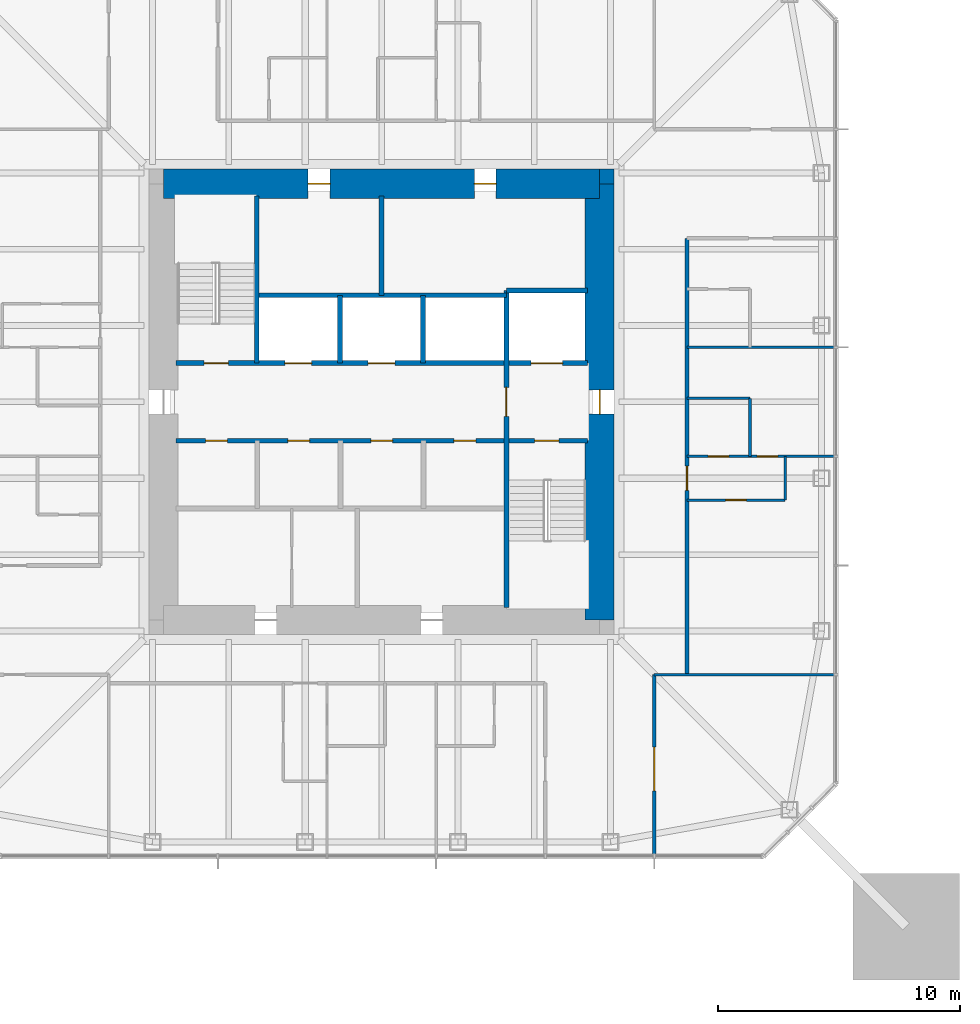
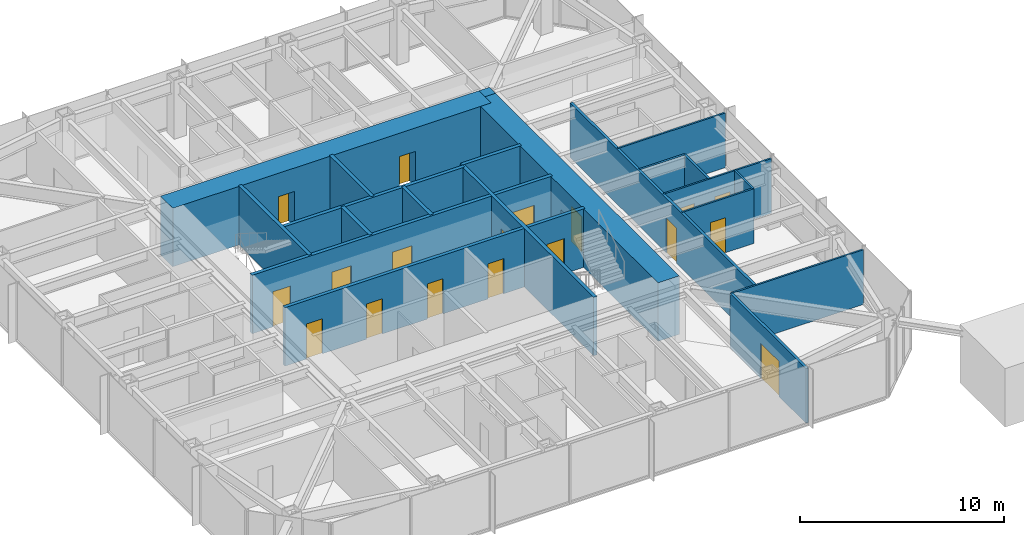
# One storey, part 7 of 11: 21 walls, 18 doors, 18 openings.
"""IFC4 building model written with IfcOpenShell, lengths in metres."""

from ifc_helpers import new_model, si_unit, direction, frame, frame_2d, origin, place, context, subcontext, project, spatial, rectangle, extrude, material, layer, layer_set, type_object, element, fill, save


model = new_model("IFC4")

# Units and contexts
model_context = context("Model", 3, precision=1e-05, world=origin(), true_north=direction((0.0, 1.0)))
body_context = subcontext(model_context, "Body", "Model", "MODEL_VIEW")
ifc_project = project(units=[si_unit("LENGTHUNIT", "METRE"), si_unit("AREAUNIT", "SQUARE_METRE"), si_unit("VOLUMEUNIT", "CUBIC_METRE"), si_unit("PLANEANGLEUNIT", "RADIAN"), si_unit("MASSUNIT", "GRAM", prefix="KILO")], contexts=[model_context])

# Site, building, storey
site_placement = place(None, origin())
site = spatial("IfcSite", under=ifc_project, at=site_placement, CompositionType="ELEMENT")
building_placement = place(site_placement, origin())
building = spatial("IfcBuilding", under=site, at=building_placement, Name="Iwan Alto Co-Living Towers", CompositionType="ELEMENT")
storey_placement = place(building_placement, frame((0.0, 0.0, 170.5)))
storey = spatial("IfcBuildingStorey", under=building, at=storey_placement, Name="L46", CompositionType="ELEMENT", Elevation=170.5)

# Wall, opening, door
ifc_material_1 = material(Name="Gypsum board")
ifc_layer_1 = layer(ifc_material_1, 0.02490234375, Name="Board", Category="Finish")
ifc_material_2 = material(Name="Steel ASTM A1003 ST33H cold-formed studs", Category="steel")
ifc_layer_2 = layer(ifc_material_2, 0.10009765625, Name="Studs", Category="Framing")
ifc_layer_3 = layer(ifc_material_1, 0.02490234375, Name="Board", Category="Finish")
ifc_layer_set_1 = layer_set([ifc_layer_1, ifc_layer_2, ifc_layer_3], Name="CORRIDOR WALL 150")
wall_type_1 = type_object("IfcWallType", Name="CORRIDOR WALL 150", PredefinedType="PARTITIONING", material=ifc_layer_set_1)
wall_1_placement = place(storey_placement, frame((12.60009765625, -11.25, 0.0), z_axis=(0.0, 0.0, 1.0), x_axis=(0.0, 1.0, 0.0)))
wall_1 = element("IfcWall", 1, at=wall_1_placement, inside=storey, type_object=wall_type_1, Name="Partition L46", PredefinedType="PARTITIONING", context=body_context, shape_type="SweptSolid", body=[
    extrude(rectangle(XDim=18.0, YDim=0.14990234375, at=frame_2d((9.0, 0.0))), origin(), (0.0, 0.0, 1.0), 3.27001953125),
])
opening_1_placement = place(wall_1_placement, frame((7.60009765625, 0.0, 0.0)))
opening_1 = element("IfcOpeningElement", 2, at=opening_1_placement, cuts=wall_1, Name="Opening D3", PredefinedType="OPENING", context=body_context, shape_type="SweptSolid", body=[
    extrude(rectangle(XDim=1.0, YDim=2.10009765625, at=frame_2d((0.5, 1.050048828125))), frame((0.0, 0.0849609375, 0.0), z_axis=(0.0, -1.0, 0.0), x_axis=(1.0, 0.0, 0.0)), (0.0, 0.0, 1.0), 0.169921875),
])
ifc_material_3 = material(Name="Steel frame with timber leaf", Category="steel")
door_type_1 = type_object("IfcDoorType", Name="FLAT ENTRANCE DOOR FD30S 1000X2100", OperationType="SINGLE_SWING_LEFT", PredefinedType="DOOR", material=ifc_material_3)
door_1_placement = place(opening_1_placement, frame((1.0, 0.0, 0.0), z_axis=(0.0, 0.0, 1.0), x_axis=(-1.0, 0.0, 0.0)))
door_1 = element("IfcDoor", 3, at=door_1_placement, inside=storey, type_object=door_type_1, Name="Apartment foyer door L46", OperationType="SINGLE_SWING_RIGHT", OverallHeight=2.10009765625, OverallWidth=1.0, PredefinedType="DOOR", context=body_context, shape_type="SweptSolid", body=[
    extrude(rectangle(XDim=1.0, YDim=2.10009765625, at=frame_2d((0.5, 1.050048828125))), frame((0.0, 0.02490234375, 0.0), z_axis=(0.0, -1.0, 0.0), x_axis=(1.0, 0.0, 0.0)), (0.0, 0.0, 1.0), 0.050048828125),
])
fill(opening_1, door_1)

wall_2_placement = place(storey_placement, frame((11.25, -18.68994140625, 0.0), z_axis=(0.0, 0.0, 1.0), x_axis=(0.0, 1.0, 0.0)))
wall_2 = element("IfcWall", 4, at=wall_2_placement, inside=storey, type_object=wall_type_1, Name="Partition L46", PredefinedType="PARTITIONING", context=body_context, shape_type="SweptSolid", body=[
    extrude(rectangle(XDim=7.43994140625, YDim=0.14990234375, at=frame_2d((3.719970703125, 0.0))), origin(), (0.0, 0.0, 1.0), 3.27001953125),
])
opening_2_placement = place(wall_2_placement, frame((2.64501953125, 0.0, 0.0)))
opening_2 = element("IfcOpeningElement", 5, at=opening_2_placement, cuts=wall_2, Name="Opening D9", PredefinedType="OPENING", context=body_context, shape_type="SweptSolid", body=[
    extrude(rectangle(XDim=1.800048828125, YDim=2.10009765625, at=frame_2d((0.89990234375, 1.050048828125))), frame((0.0, 0.0849609375, 0.0), z_axis=(0.0, -1.0, 0.0), x_axis=(1.0, 0.0, 0.0)), (0.0, 0.0, 1.0), 0.169921875),
])
ifc_material_4 = material(Name="Steel frame with timber leaf", Category="steel")
door_type_2 = type_object("IfcDoorType", Name="LOUNGE DOOR FD30S 1800X2100", OperationType="DOUBLE_DOOR_SINGLE_SWING", PredefinedType="DOOR", material=ifc_material_4)
door_2_placement = place(opening_2_placement, frame((1.800048828125, 0.0, 0.0), z_axis=(0.0, 0.0, 1.0), x_axis=(-1.0, 0.0, 0.0)))
door_2 = element("IfcDoor", 6, at=door_2_placement, inside=storey, type_object=door_type_2, Name="Courtyard lounge door L46", OperationType="DOUBLE_DOOR_SINGLE_SWING", OverallHeight=2.10009765625, OverallWidth=1.800048828125, PredefinedType="DOOR", context=body_context, shape_type="SweptSolid", body=[
    extrude(rectangle(XDim=1.800048828125, YDim=2.10009765625, at=frame_2d((0.89990234375, 1.050048828125))), frame((0.0, 0.02490234375, 0.0), z_axis=(0.0, -1.0, 0.0), x_axis=(1.0, 0.0, 0.0)), (0.0, 0.0, 1.0), 0.050048828125),
])
fill(opening_2, door_2)

# Wall
ifc_layer_4 = layer(ifc_material_1, 0.012451171875, Name="Board", Category="Finish")
ifc_layer_5 = layer(ifc_material_2, 0.074951171875, Name="Studs", Category="Framing")
ifc_layer_6 = layer(ifc_material_1, 0.012451171875, Name="Board", Category="Finish")
ifc_layer_set_2 = layer_set([ifc_layer_4, ifc_layer_5, ifc_layer_6], Name="PARTITION 100")
wall_type_2 = type_object("IfcWallType", Name="PARTITION 100", PredefinedType="PARTITIONING", material=ifc_layer_set_2)
wall_3_placement = place(storey_placement, frame((11.25, -11.25, 0.0), z_axis=(0.0, 0.0, 1.0), x_axis=(1.0, 0.0, 0.0)))
element("IfcWall", 7, at=wall_3_placement, inside=storey, type_object=wall_type_2, Name="Partition L46", PredefinedType="PARTITIONING", context=body_context, shape_type="SweptSolid", body=[
    extrude(rectangle(XDim=7.43994140625, YDim=0.10009765625, at=frame_2d((3.719970703125, 0.0))), origin(), (0.0, 0.0, 1.0), 3.27001953125),
])

# Wall, opening, door
wall_4_placement = place(storey_placement, frame((12.60009765625, -4.050048828125, 0.0), z_axis=(0.0, 0.0, 1.0), x_axis=(1.0, 0.0, 0.0)))
wall_4 = element("IfcWall", 8, at=wall_4_placement, inside=storey, type_object=wall_type_2, Name="Partition L46", PredefinedType="PARTITIONING", context=body_context, shape_type="SweptSolid", body=[
    extrude(rectangle(XDim=4.0498046875, YDim=0.10009765625, at=frame_2d((2.02490234375, 0.0))), origin(), (0.0, 0.0, 1.0), 3.27001953125),
])
opening_3_placement = place(wall_4_placement, frame((1.60009765625, 0.0, 0.0)))
opening_3 = element("IfcOpeningElement", 9, at=opening_3_placement, cuts=wall_4, Name="Opening D2", PredefinedType="OPENING", context=body_context, shape_type="SweptSolid", body=[
    extrude(rectangle(XDim=0.85009765625, YDim=2.10009765625, at=frame_2d((0.425048828125, 1.050048828125))), frame((0.0, 0.06005859375, 0.0), z_axis=(0.0, -1.0, 0.0), x_axis=(1.0, 0.0, 0.0)), (0.0, 0.0, 1.0), 0.1201171875),
])
ifc_material_5 = material(Name="Timber leaf in steel frame", Category="steel")
door_type_3 = type_object("IfcDoorType", Name="ROOM DOOR 850X2100", OperationType="SINGLE_SWING_LEFT", PredefinedType="DOOR", material=ifc_material_5)
door_3_placement = place(opening_3_placement, frame((0.85009765625, 0.0, 0.0), z_axis=(0.0, 0.0, 1.0), x_axis=(-1.0, 0.0, 0.0)))
door_3 = element("IfcDoor", 10, at=door_3_placement, inside=storey, type_object=door_type_3, Name="Apartment foyer door L46", OperationType="SINGLE_SWING_RIGHT", OverallHeight=2.10009765625, OverallWidth=0.85009765625, PredefinedType="DOOR", context=body_context, shape_type="SweptSolid", body=[
    extrude(rectangle(XDim=0.85009765625, YDim=2.10009765625, at=frame_2d((0.425048828125, 1.050048828125))), frame((0.0, 0.02490234375, 0.0), z_axis=(0.0, -1.0, 0.0), x_axis=(1.0, 0.0, 0.0)), (0.0, 0.0, 1.0), 0.050048828125),
])
fill(opening_3, door_3)

# Wall, openings, doors
wall_5_placement = place(storey_placement, frame((12.60009765625, -2.25, 0.0), z_axis=(0.0, 0.0, 1.0), x_axis=(1.0, 0.0, 0.0)))
wall_5 = element("IfcWall", 11, at=wall_5_placement, inside=storey, type_object=wall_type_2, Name="Partition L46", PredefinedType="PARTITIONING", context=body_context, shape_type="SweptSolid", body=[
    extrude(rectangle(XDim=6.08984375, YDim=0.10009765625, at=frame_2d((3.044921875, 0.0))), origin(), (0.0, 0.0, 1.0), 3.27001953125),
])
opening_4_placement = place(wall_5_placement, frame((2.89990234375, 0.0, 0.0)))
opening_4 = element("IfcOpeningElement", 12, at=opening_4_placement, cuts=wall_5, Name="Opening D2", PredefinedType="OPENING", context=body_context, shape_type="SweptSolid", body=[
    extrude(rectangle(XDim=0.85009765625, YDim=2.10009765625, at=frame_2d((0.425048828125, 1.050048828125))), frame((0.0, 0.06005859375, 0.0), z_axis=(0.0, -1.0, 0.0), x_axis=(1.0, 0.0, 0.0)), (0.0, 0.0, 1.0), 0.1201171875),
])
opening_5_placement = place(wall_5_placement, frame((0.875, 0.0, 0.0)))
opening_5 = element("IfcOpeningElement", 13, at=opening_5_placement, cuts=wall_5, Name="Opening D2", PredefinedType="OPENING", context=body_context, shape_type="SweptSolid", body=[
    extrude(rectangle(XDim=0.85009765625, YDim=2.10009765625, at=frame_2d((0.425048828125, 1.050048828125))), frame((0.0, 0.06005859375, 0.0), z_axis=(0.0, -1.0, 0.0), x_axis=(1.0, 0.0, 0.0)), (0.0, 0.0, 1.0), 0.1201171875),
])
door_4_placement = place(opening_4_placement, origin())
door_4 = element("IfcDoor", 14, at=door_4_placement, inside=storey, type_object=door_type_3, Name="Bedroom door L46", OperationType="SINGLE_SWING_LEFT", OverallHeight=2.10009765625, OverallWidth=0.85009765625, PredefinedType="DOOR", context=body_context, shape_type="SweptSolid", body=[
    extrude(rectangle(XDim=0.85009765625, YDim=2.10009765625, at=frame_2d((0.425048828125, 1.050048828125))), frame((0.0, 0.02490234375, 0.0), z_axis=(0.0, -1.0, 0.0), x_axis=(1.0, 0.0, 0.0)), (0.0, 0.0, 1.0), 0.050048828125),
])
fill(opening_4, door_4)
door_5_placement = place(opening_5_placement, origin())
door_5 = element("IfcDoor", 15, at=door_5_placement, inside=storey, type_object=door_type_3, Name="Bathroom door L46", OperationType="SINGLE_SWING_LEFT", OverallHeight=2.10009765625, OverallWidth=0.85009765625, PredefinedType="DOOR", context=body_context, shape_type="SweptSolid", body=[
    extrude(rectangle(XDim=0.85009765625, YDim=2.10009765625, at=frame_2d((0.425048828125, 1.050048828125))), frame((0.0, 0.02490234375, 0.0), z_axis=(0.0, -1.0, 0.0), x_axis=(1.0, 0.0, 0.0)), (0.0, 0.0, 1.0), 0.050048828125),
])
fill(opening_5, door_5)

# Walls
wall_6_placement = place(storey_placement, frame((12.60009765625, 2.25, 0.0), z_axis=(0.0, 0.0, 1.0), x_axis=(1.0, 0.0, 0.0)))
element("IfcWall", 16, at=wall_6_placement, inside=storey, type_object=wall_type_2, Name="Partition L46", PredefinedType="PARTITIONING", context=body_context, shape_type="SweptSolid", body=[
    extrude(rectangle(XDim=6.08984375, YDim=0.10009765625, at=frame_2d((3.044921875, 0.0))), origin(), (0.0, 0.0, 1.0), 3.27001953125),
])
wall_7_placement = place(storey_placement, frame((16.64990234375, -4.050048828125, 0.0), z_axis=(0.0, 0.0, 1.0), x_axis=(0.0, 1.0, 0.0)))
element("IfcWall", 17, at=wall_7_placement, inside=storey, type_object=wall_type_2, Name="Partition L46", PredefinedType="PARTITIONING", context=body_context, shape_type="SweptSolid", body=[
    extrude(rectangle(XDim=1.800048828125, YDim=0.10009765625, at=frame_2d((0.89990234375, 0.0))), origin(), (0.0, 0.0, 1.0), 3.27001953125),
])

# Wall, openings, doors
ifc_material_6 = material(Name="Concrete f'c 70 MPa", Category="concrete")
ifc_layer_7 = layer(ifc_material_6, 0.199951171875)
ifc_layer_set_3 = layer_set([ifc_layer_7], Name="SHAFT WALL 200")
wall_type_3 = type_object("IfcWallType", Name="SHAFT WALL 200", PredefinedType="SOLIDWALL", material=ifc_layer_set_3)
wall_8_placement = place(storey_placement, frame((-8.489990234375, -1.60009765625, 0.0), z_axis=(0.0, 0.0, 1.0), x_axis=(1.0, 0.0, 0.0)))
wall_8 = element("IfcWall", 18, at=wall_8_placement, inside=storey, type_object=wall_type_3, Name="Shaft wall L46", PredefinedType="SOLIDWALL", context=body_context, shape_type="SweptSolid", body=[
    extrude(rectangle(XDim=16.97998046875, YDim=0.199951171875, at=frame_2d((8.489990234375, 0.0))), origin(), (0.0, 0.0, 1.0), 3.5),
])
opening_6_placement = place(wall_8_placement, frame((14.81005859375, 0.0, 0.0)))
opening_6 = element("IfcOpeningElement", 19, at=opening_6_placement, cuts=wall_8, Name="Opening D5", PredefinedType="OPENING", context=body_context, shape_type="SweptSolid", body=[
    extrude(rectangle(XDim=1.0, YDim=2.10009765625, at=frame_2d((0.5, 1.050048828125))), frame((0.0, 0.10986328125, 0.0), z_axis=(0.0, -1.0, 0.0), x_axis=(1.0, 0.0, 0.0)), (0.0, 0.0, 1.0), 0.219970703125),
])
opening_7_placement = place(wall_8_placement, frame((1.23193359375, 0.0, 0.0)))
opening_7 = element("IfcOpeningElement", 20, at=opening_7_placement, cuts=wall_8, Name="Opening D15", PredefinedType="OPENING", context=body_context, shape_type="SweptSolid", body=[
    extrude(rectangle(XDim=0.89990234375, YDim=2.10009765625, at=frame_2d((0.449951171875, 1.050048828125))), frame((0.0, 0.10986328125, 0.0), z_axis=(0.0, -1.0, 0.0), x_axis=(1.0, 0.0, 0.0)), (0.0, 0.0, 1.0), 0.219970703125),
])
opening_8_placement = place(wall_8_placement, frame((4.626953125, 0.0, 0.0)))
opening_8 = element("IfcOpeningElement", 21, at=opening_8_placement, cuts=wall_8, Name="Opening D15", PredefinedType="OPENING", context=body_context, shape_type="SweptSolid", body=[
    extrude(rectangle(XDim=0.89990234375, YDim=2.10009765625, at=frame_2d((0.449951171875, 1.050048828125))), frame((0.0, 0.10986328125, 0.0), z_axis=(0.0, -1.0, 0.0), x_axis=(1.0, 0.0, 0.0)), (0.0, 0.0, 1.0), 0.219970703125),
])
opening_9_placement = place(wall_8_placement, frame((8.052001953125, 0.0, 0.0)))
opening_9 = element("IfcOpeningElement", 22, at=opening_9_placement, cuts=wall_8, Name="Opening D15", PredefinedType="OPENING", context=body_context, shape_type="SweptSolid", body=[
    extrude(rectangle(XDim=0.89990234375, YDim=2.10009765625, at=frame_2d((0.449951171875, 1.050048828125))), frame((0.0, 0.10986328125, 0.0), z_axis=(0.0, -1.0, 0.0), x_axis=(1.0, 0.0, 0.0)), (0.0, 0.0, 1.0), 0.219970703125),
])
opening_10_placement = place(wall_8_placement, frame((11.47802734375, 0.0, 0.0)))
opening_10 = element("IfcOpeningElement", 23, at=opening_10_placement, cuts=wall_8, Name="Opening D15", PredefinedType="OPENING", context=body_context, shape_type="SweptSolid", body=[
    extrude(rectangle(XDim=0.89990234375, YDim=2.10009765625, at=frame_2d((0.449951171875, 1.050048828125))), frame((0.0, 0.10986328125, 0.0), z_axis=(0.0, -1.0, 0.0), x_axis=(1.0, 0.0, 0.0)), (0.0, 0.0, 1.0), 0.219970703125),
])
ifc_material_7 = material(Name="Steel frame with timber leaf", Category="steel")
door_type_4 = type_object("IfcDoorType", Name="CORE ROOM DOOR FD60S 900X2100", OperationType="SINGLE_SWING_LEFT", PredefinedType="DOOR", material=ifc_material_7)
door_6_placement = place(opening_7_placement, frame((0.89990234375, 0.0, 0.0), z_axis=(0.0, 0.0, 1.0), x_axis=(-1.0, 0.0, 0.0)))
door_6 = element("IfcDoor", 24, at=door_6_placement, inside=storey, type_object=door_type_4, Name="Guest pantry door L46", OperationType="SINGLE_SWING_LEFT", OverallHeight=2.10009765625, OverallWidth=0.89990234375, PredefinedType="DOOR", context=body_context, shape_type="SweptSolid", body=[
    extrude(rectangle(XDim=0.89990234375, YDim=2.10009765625, at=frame_2d((0.449951171875, 1.050048828125))), frame((0.0, 0.02490234375, 0.0), z_axis=(0.0, -1.0, 0.0), x_axis=(1.0, 0.0, 0.0)), (0.0, 0.0, 1.0), 0.050048828125),
])
fill(opening_7, door_6)
door_7_placement = place(opening_8_placement, frame((0.89990234375, 0.0, 0.0), z_axis=(0.0, 0.0, 1.0), x_axis=(-1.0, 0.0, 0.0)))
door_7 = element("IfcDoor", 25, at=door_7_placement, inside=storey, type_object=door_type_4, Name="Cleaner's store door L46", OperationType="SINGLE_SWING_RIGHT", OverallHeight=2.10009765625, OverallWidth=0.89990234375, PredefinedType="DOOR", context=body_context, shape_type="SweptSolid", body=[
    extrude(rectangle(XDim=0.89990234375, YDim=2.10009765625, at=frame_2d((0.449951171875, 1.050048828125))), frame((0.0, 0.02490234375, 0.0), z_axis=(0.0, -1.0, 0.0), x_axis=(1.0, 0.0, 0.0)), (0.0, 0.0, 1.0), 0.050048828125),
])
fill(opening_8, door_7)
door_8_placement = place(opening_9_placement, frame((0.89990234375, 0.0, 0.0), z_axis=(0.0, 0.0, 1.0), x_axis=(-1.0, 0.0, 0.0)))
door_8 = element("IfcDoor", 26, at=door_8_placement, inside=storey, type_object=door_type_4, Name="Guest pantry door L46", OperationType="SINGLE_SWING_RIGHT", OverallHeight=2.10009765625, OverallWidth=0.89990234375, PredefinedType="DOOR", context=body_context, shape_type="SweptSolid", body=[
    extrude(rectangle(XDim=0.89990234375, YDim=2.10009765625, at=frame_2d((0.449951171875, 1.050048828125))), frame((0.0, 0.02490234375, 0.0), z_axis=(0.0, -1.0, 0.0), x_axis=(1.0, 0.0, 0.0)), (0.0, 0.0, 1.0), 0.050048828125),
])
fill(opening_9, door_8)
door_9_placement = place(opening_10_placement, frame((0.89990234375, 0.0, 0.0), z_axis=(0.0, 0.0, 1.0), x_axis=(-1.0, 0.0, 0.0)))
door_9 = element("IfcDoor", 27, at=door_9_placement, inside=storey, type_object=door_type_4, Name="Staff WC door L46", OperationType="SINGLE_SWING_RIGHT", OverallHeight=2.10009765625, OverallWidth=0.89990234375, PredefinedType="DOOR", context=body_context, shape_type="SweptSolid", body=[
    extrude(rectangle(XDim=0.89990234375, YDim=2.10009765625, at=frame_2d((0.449951171875, 1.050048828125))), frame((0.0, 0.02490234375, 0.0), z_axis=(0.0, -1.0, 0.0), x_axis=(1.0, 0.0, 0.0)), (0.0, 0.0, 1.0), 0.050048828125),
])
fill(opening_10, door_9)
ifc_material_8 = material(Name="Steel frame with timber leaf", Category="steel")
door_type_5 = type_object("IfcDoorType", Name="STAIR DOOR FD120S 1000X2100", OperationType="SINGLE_SWING_LEFT", PredefinedType="DOOR", material=ifc_material_8)
door_10_placement = place(opening_6_placement, frame((1.0, 0.0, 0.0), z_axis=(0.0, 0.0, 1.0), x_axis=(-1.0, 0.0, 0.0)))
door_10 = element("IfcDoor", 28, at=door_10_placement, inside=storey, type_object=door_type_5, Name="Stair S2 door L46", OperationType="SINGLE_SWING_RIGHT", OverallHeight=2.10009765625, OverallWidth=1.0, PredefinedType="DOOR", context=body_context, shape_type="SweptSolid", body=[
    extrude(rectangle(XDim=1.0, YDim=2.10009765625, at=frame_2d((0.5, 1.050048828125))), frame((0.0, 0.02490234375, 0.0), z_axis=(0.0, -1.0, 0.0), x_axis=(1.0, 0.0, 0.0)), (0.0, 0.0, 1.0), 0.050048828125),
])
fill(opening_6, door_10)

wall_9_placement = place(storey_placement, frame((-8.489990234375, 1.60009765625, 0.0), z_axis=(0.0, 0.0, 1.0), x_axis=(1.0, 0.0, 0.0)))
wall_9 = element("IfcWall", 29, at=wall_9_placement, inside=storey, type_object=wall_type_3, Name="Shaft wall L46", PredefinedType="SOLIDWALL", context=body_context, shape_type="SweptSolid", body=[
    extrude(rectangle(XDim=16.97998046875, YDim=0.199951171875, at=frame_2d((8.489990234375, 0.0))), origin(), (0.0, 0.0, 1.0), 3.5),
])
opening_11_placement = place(wall_9_placement, frame((1.169921875, 0.0, 0.0)))
opening_11 = element("IfcOpeningElement", 30, at=opening_11_placement, cuts=wall_9, Name="Opening D5", PredefinedType="OPENING", context=body_context, shape_type="SweptSolid", body=[
    extrude(rectangle(XDim=1.0, YDim=2.10009765625, at=frame_2d((0.5, 1.050048828125))), frame((0.0, 0.10986328125, 0.0), z_axis=(0.0, -1.0, 0.0), x_axis=(1.0, 0.0, 0.0)), (0.0, 0.0, 1.0), 0.219970703125),
])
opening_12_placement = place(wall_9_placement, frame((4.506103515625, 0.0, 0.0)))
opening_12 = element("IfcOpeningElement", 31, at=opening_12_placement, cuts=wall_9, Name="Opening LD", PredefinedType="OPENING", context=body_context, shape_type="SweptSolid", body=[
    extrude(rectangle(XDim=1.10009765625, YDim=2.10009765625, at=frame_2d((0.550048828125, 1.050048828125))), frame((0.0, 0.10986328125, 0.0), z_axis=(0.0, -1.0, 0.0), x_axis=(1.0, 0.0, 0.0)), (0.0, 0.0, 1.0), 0.219970703125),
])
opening_13_placement = place(wall_9_placement, frame((7.93994140625, 0.0, 0.0)))
opening_13 = element("IfcOpeningElement", 32, at=opening_13_placement, cuts=wall_9, Name="Opening LD", PredefinedType="OPENING", context=body_context, shape_type="SweptSolid", body=[
    extrude(rectangle(XDim=1.10009765625, YDim=2.10009765625, at=frame_2d((0.550048828125, 1.050048828125))), frame((0.0, 0.10986328125, 0.0), z_axis=(0.0, -1.0, 0.0), x_axis=(1.0, 0.0, 0.0)), (0.0, 0.0, 1.0), 0.219970703125),
])
opening_14_placement = place(wall_9_placement, frame((14.659912109375, 0.0, 0.0)))
opening_14 = element("IfcOpeningElement", 33, at=opening_14_placement, cuts=wall_9, Name="Opening LD2", PredefinedType="OPENING", context=body_context, shape_type="SweptSolid", body=[
    extrude(rectangle(XDim=1.300048828125, YDim=2.10009765625, at=frame_2d((0.64990234375, 1.050048828125))), frame((0.0, 0.10986328125, 0.0), z_axis=(0.0, -1.0, 0.0), x_axis=(1.0, 0.0, 0.0)), (0.0, 0.0, 1.0), 0.219970703125),
])
ifc_material_9 = material(Name="Steel frame with timber leaf", Category="steel")
door_type_6 = type_object("IfcDoorType", Name="LIFT LANDING DOOR 1100X2100", OperationType="DOUBLE_DOOR_SLIDING", PredefinedType="DOOR", material=ifc_material_9)
door_11_placement = place(opening_12_placement, origin())
door_11 = element("IfcDoor", 34, at=door_11_placement, inside=storey, type_object=door_type_6, Name="Lift P3-1 landing door L46", OperationType="DOUBLE_DOOR_SLIDING", OverallHeight=2.10009765625, OverallWidth=1.10009765625, PredefinedType="DOOR", context=body_context, shape_type="SweptSolid", body=[
    extrude(rectangle(XDim=1.10009765625, YDim=2.10009765625, at=frame_2d((0.550048828125, 1.050048828125))), frame((0.0, 0.02490234375, 0.0), z_axis=(0.0, -1.0, 0.0), x_axis=(1.0, 0.0, 0.0)), (0.0, 0.0, 1.0), 0.050048828125),
])
fill(opening_12, door_11)
door_12_placement = place(opening_13_placement, origin())
door_12 = element("IfcDoor", 35, at=door_12_placement, inside=storey, type_object=door_type_6, Name="Lift P3-2 landing door L46", OperationType="DOUBLE_DOOR_SLIDING", OverallHeight=2.10009765625, OverallWidth=1.10009765625, PredefinedType="DOOR", context=body_context, shape_type="SweptSolid", body=[
    extrude(rectangle(XDim=1.10009765625, YDim=2.10009765625, at=frame_2d((0.550048828125, 1.050048828125))), frame((0.0, 0.02490234375, 0.0), z_axis=(0.0, -1.0, 0.0), x_axis=(1.0, 0.0, 0.0)), (0.0, 0.0, 1.0), 0.050048828125),
])
fill(opening_13, door_12)
ifc_material_10 = material(Name="Steel frame with timber leaf", Category="steel")
door_type_7 = type_object("IfcDoorType", Name="LIFT LANDING DOOR 1300X2100", OperationType="SLIDING_TO_LEFT", PredefinedType="DOOR", material=ifc_material_10)
door_13_placement = place(opening_14_placement, origin())
door_13 = element("IfcDoor", 36, at=door_13_placement, inside=storey, type_object=door_type_7, Name="Lift FL1 landing door L46", OperationType="SLIDING_TO_LEFT", OverallHeight=2.10009765625, OverallWidth=1.300048828125, PredefinedType="DOOR", context=body_context, shape_type="SweptSolid", body=[
    extrude(rectangle(XDim=1.300048828125, YDim=2.10009765625, at=frame_2d((0.64990234375, 1.050048828125))), frame((0.0, 0.02490234375, 0.0), z_axis=(0.0, -1.0, 0.0), x_axis=(1.0, 0.0, 0.0)), (0.0, 0.0, 1.0), 0.050048828125),
])
fill(opening_14, door_13)
door_14_placement = place(opening_11_placement, origin())
door_14 = element("IfcDoor", 37, at=door_14_placement, inside=storey, type_object=door_type_5, Name="Stair S1 door L46", OperationType="SINGLE_SWING_RIGHT", OverallHeight=2.10009765625, OverallWidth=1.0, PredefinedType="DOOR", context=body_context, shape_type="SweptSolid", body=[
    extrude(rectangle(XDim=1.0, YDim=2.10009765625, at=frame_2d((0.5, 1.050048828125))), frame((0.0, 0.02490234375, 0.0), z_axis=(0.0, -1.0, 0.0), x_axis=(1.0, 0.0, 0.0)), (0.0, 0.0, 1.0), 0.050048828125),
])
fill(opening_11, door_14)

# Walls
wall_10_placement = place(storey_placement, frame((-5.14990234375, 4.39990234375, 0.0), z_axis=(0.0, 0.0, 1.0), x_axis=(1.0, 0.0, 0.0)))
element("IfcWall", 38, at=wall_10_placement, inside=storey, type_object=wall_type_3, Name="Shaft wall L46", PredefinedType="SOLIDWALL", context=body_context, shape_type="SweptSolid", body=[
    extrude(rectangle(XDim=10.2998046875, YDim=0.199951171875, at=frame_2d((5.14990234375, 0.0))), origin(), (0.0, 0.0, 1.0), 3.5),
])
wall_11_placement = place(storey_placement, frame((5.14990234375, 4.60009765625, 0.0), z_axis=(0.0, 0.0, 1.0), x_axis=(1.0, 0.0, 0.0)))
element("IfcWall", 39, at=wall_11_placement, inside=storey, type_object=wall_type_3, Name="Shaft wall L46", PredefinedType="SOLIDWALL", context=body_context, shape_type="SweptSolid", body=[
    extrude(rectangle(XDim=3.340087890625, YDim=0.199951171875, at=frame_2d((1.669921875, 0.0))), origin(), (0.0, 0.0, 1.0), 3.5),
])

# Wall, opening, door
wall_12_placement = place(storey_placement, frame((5.14990234375, -8.489990234375, 0.0), z_axis=(0.0, 0.0, 1.0), x_axis=(0.0, 1.0, 0.0)))
wall_12 = element("IfcWall", 40, at=wall_12_placement, inside=storey, type_object=wall_type_3, Name="Shaft wall L46", PredefinedType="SOLIDWALL", context=body_context, shape_type="SweptSolid", body=[
    extrude(rectangle(XDim=13.090087890625, YDim=0.199951171875, at=frame_2d((6.544921875, 0.0))), origin(), (0.0, 0.0, 1.0), 3.5),
])
opening_15_placement = place(wall_12_placement, frame((7.889892578125, 0.0, 0.0)))
opening_15 = element("IfcOpeningElement", 41, at=opening_15_placement, cuts=wall_12, Name="Opening D6", PredefinedType="OPENING", context=body_context, shape_type="SweptSolid", body=[
    extrude(rectangle(XDim=1.199951171875, YDim=2.10009765625, at=frame_2d((0.60009765625, 1.050048828125))), frame((0.0, 0.10986328125, 0.0), z_axis=(0.0, -1.0, 0.0), x_axis=(1.0, 0.0, 0.0)), (0.0, 0.0, 1.0), 0.219970703125),
])
ifc_material_11 = material(Name="Steel frame with timber leaf", Category="steel")
door_type_8 = type_object("IfcDoorType", Name="LOBBY DOOR FD120S 1200X2100", OperationType="SINGLE_SWING_LEFT", PredefinedType="DOOR", material=ifc_material_11)
door_15_placement = place(opening_15_placement, frame((1.199951171875, 0.0, 0.0), z_axis=(0.0, 0.0, 1.0), x_axis=(-1.0, 0.0, 0.0)))
door_15 = element("IfcDoor", 42, at=door_15_placement, inside=storey, type_object=door_type_8, Name="Firefighting lobby door L46", OperationType="SINGLE_SWING_RIGHT", OverallHeight=2.10009765625, OverallWidth=1.199951171875, PredefinedType="DOOR", context=body_context, shape_type="SweptSolid", body=[
    extrude(rectangle(XDim=1.199951171875, YDim=2.10009765625, at=frame_2d((0.60009765625, 1.050048828125))), frame((0.0, 0.02490234375, 0.0), z_axis=(0.0, -1.0, 0.0), x_axis=(1.0, 0.0, 0.0)), (0.0, 0.0, 1.0), 0.050048828125),
])
fill(opening_15, door_15)

# Walls
wall_13_placement = place(storey_placement, frame((1.717041015625, 1.60009765625, 0.0), z_axis=(0.0, 0.0, 1.0), x_axis=(0.0, 1.0, 0.0)))
element("IfcWall", 43, at=wall_13_placement, inside=storey, type_object=wall_type_3, Name="Shaft wall L46", PredefinedType="SOLIDWALL", context=body_context, shape_type="SweptSolid", body=[
    extrude(rectangle(XDim=2.7998046875, YDim=0.199951171875, at=frame_2d((1.39990234375, 0.0))), origin(), (0.0, 0.0, 1.0), 3.5),
])
wall_14_placement = place(storey_placement, frame((0.0, 4.39990234375, 0.0), z_axis=(0.0, 0.0, 1.0), x_axis=(0.0, 1.0, 0.0)))
element("IfcWall", 44, at=wall_14_placement, inside=storey, type_object=wall_type_3, Name="Shaft wall L46", PredefinedType="SOLIDWALL", context=body_context, shape_type="SweptSolid", body=[
    extrude(rectangle(XDim=4.090087890625, YDim=0.199951171875, at=frame_2d((2.044921875, 0.0))), origin(), (0.0, 0.0, 1.0), 3.5),
])
wall_15_placement = place(storey_placement, frame((-1.717041015625, 1.60009765625, 0.0), z_axis=(0.0, 0.0, 1.0), x_axis=(0.0, 1.0, 0.0)))
element("IfcWall", 45, at=wall_15_placement, inside=storey, type_object=wall_type_3, Name="Shaft wall L46", PredefinedType="SOLIDWALL", context=body_context, shape_type="SweptSolid", body=[
    extrude(rectangle(XDim=2.7998046875, YDim=0.199951171875, at=frame_2d((1.39990234375, 0.0))), origin(), (0.0, 0.0, 1.0), 3.5),
])
wall_16_placement = place(storey_placement, frame((-5.14990234375, 1.60009765625, 0.0), z_axis=(0.0, 0.0, 1.0), x_axis=(0.0, 1.0, 0.0)))
element("IfcWall", 46, at=wall_16_placement, inside=storey, type_object=wall_type_3, Name="Shaft wall L46", PredefinedType="SOLIDWALL", context=body_context, shape_type="SweptSolid", body=[
    extrude(rectangle(XDim=6.889892578125, YDim=0.199951171875, at=frame_2d((3.44482421875, 0.0))), origin(), (0.0, 0.0, 1.0), 3.5),
])
ifc_material_12 = material(Name="Concrete f'c 70 MPa", Category="concrete")
ifc_layer_8 = layer(ifc_material_12, 0.60009765625)
ifc_layer_set_4 = layer_set([ifc_layer_8], Name="T1 CORE CORNER FILL 600")
wall_type_4 = type_object("IfcWallType", Name="T1 CORE CORNER FILL 600", PredefinedType="SOLIDWALL", material=ifc_layer_set_4)
wall_17_placement = place(storey_placement, frame((9.0, 9.300048828125, 0.0), z_axis=(0.0, 0.0, 1.0), x_axis=(1.0, 0.0, 0.0)))
element("IfcWall", 47, at=wall_17_placement, inside=storey, type_object=wall_type_4, Name="T1 core corner NE L46", PredefinedType="SOLIDWALL", context=body_context, shape_type="SweptSolid", body=[
    extrude(rectangle(XDim=0.60009765625, YDim=0.60009765625, at=frame_2d((0.300048828125, 0.0))), origin(), (0.0, 0.0, 1.0), 3.5),
])

# Wall, openings, doors
ifc_material_13 = material(Name="Concrete f'c 70 MPa", Category="concrete")
ifc_layer_9 = layer(ifc_material_13, 1.199951171875)
ifc_layer_set_5 = layer_set([ifc_layer_9], Name="T1 CORE WALL 1200")
wall_type_5 = type_object("IfcWallType", Name="T1 CORE WALL 1200", PredefinedType="SHEAR", material=ifc_layer_set_5)
wall_18_placement = place(storey_placement, frame((9.0, 9.0, 0.0), z_axis=(0.0, 0.0, 1.0), x_axis=(-1.0, 0.0, 0.0)))
wall_18 = element("IfcWall", 48, at=wall_18_placement, inside=storey, type_object=wall_type_5, Name="T1 core wall N L46", PredefinedType="SHEAR", context=body_context, shape_type="SweptSolid", body=[
    extrude(rectangle(XDim=18.0, YDim=1.199951171875, at=frame_2d((9.0, 0.0))), origin(), (0.0, 0.0, 1.0), 3.5),
])
opening_16_placement = place(wall_18_placement, frame((11.125, 0.0, 0.0)))
opening_16 = element("IfcOpeningElement", 49, at=opening_16_placement, cuts=wall_18, Name="Opening D8", PredefinedType="OPENING", context=body_context, shape_type="SweptSolid", body=[
    extrude(rectangle(XDim=0.89990234375, YDim=2.10009765625, at=frame_2d((0.449951171875, 1.050048828125))), frame((0.0, 0.60986328125, 0.0), z_axis=(0.0, -1.0, 0.0), x_axis=(1.0, 0.0, 0.0)), (0.0, 0.0, 1.0), 1.219970703125),
])
opening_17_placement = place(wall_18_placement, frame((4.27490234375, 0.0, 0.0)))
opening_17 = element("IfcOpeningElement", 50, at=opening_17_placement, cuts=wall_18, Name="Opening D8", PredefinedType="OPENING", context=body_context, shape_type="SweptSolid", body=[
    extrude(rectangle(XDim=0.89990234375, YDim=2.10009765625, at=frame_2d((0.449951171875, 1.050048828125))), frame((0.0, 0.60986328125, 0.0), z_axis=(0.0, -1.0, 0.0), x_axis=(1.0, 0.0, 0.0)), (0.0, 0.0, 1.0), 1.219970703125),
])
ifc_material_14 = material(Name="Steel frame with timber leaf", Category="steel")
door_type_9 = type_object("IfcDoorType", Name="RISER DOOR FD120 900X2100", OperationType="SINGLE_SWING_LEFT", PredefinedType="DOOR", material=ifc_material_14)
door_16_placement = place(opening_16_placement, origin())
door_16 = element("IfcDoor", 51, at=door_16_placement, inside=storey, type_object=door_type_9, Name="Electrical riser core door L46", OperationType="SINGLE_SWING_RIGHT", OverallHeight=2.10009765625, OverallWidth=0.89990234375, PredefinedType="DOOR", context=body_context, shape_type="SweptSolid", body=[
    extrude(rectangle(XDim=0.89990234375, YDim=2.10009765625, at=frame_2d((0.449951171875, 1.050048828125))), frame((0.0, 0.02490234375, 0.0), z_axis=(0.0, -1.0, 0.0), x_axis=(1.0, 0.0, 0.0)), (0.0, 0.0, 1.0), 0.050048828125),
])
fill(opening_16, door_16)
door_17_placement = place(opening_17_placement, origin())
door_17 = element("IfcDoor", 52, at=door_17_placement, inside=storey, type_object=door_type_9, Name="Water and drainage riser core door L46", OperationType="SINGLE_SWING_RIGHT", OverallHeight=2.10009765625, OverallWidth=0.89990234375, PredefinedType="DOOR", context=body_context, shape_type="SweptSolid", body=[
    extrude(rectangle(XDim=0.89990234375, YDim=2.10009765625, at=frame_2d((0.449951171875, 1.050048828125))), frame((0.0, 0.02490234375, 0.0), z_axis=(0.0, -1.0, 0.0), x_axis=(1.0, 0.0, 0.0)), (0.0, 0.0, 1.0), 0.050048828125),
])
fill(opening_17, door_17)

# Wall, opening, door
wall_19_placement = place(storey_placement, frame((9.0, -9.0, 0.0), z_axis=(0.0, 0.0, 1.0), x_axis=(0.0, 1.0, 0.0)))
wall_19 = element("IfcWall", 53, at=wall_19_placement, inside=storey, type_object=wall_type_5, Name="T1 core wall E L46", PredefinedType="SHEAR", context=body_context, shape_type="SweptSolid", body=[
    extrude(rectangle(XDim=18.0, YDim=1.199951171875, at=frame_2d((9.0, 0.0))), origin(), (0.0, 0.0, 1.0), 3.5),
])
opening_18_placement = place(wall_19_placement, frame((8.5, 0.0, 0.0)))
opening_18 = element("IfcOpeningElement", 54, at=opening_18_placement, cuts=wall_19, Name="Opening D7", PredefinedType="OPENING", context=body_context, shape_type="SweptSolid", body=[
    extrude(rectangle(XDim=1.0, YDim=2.10009765625, at=frame_2d((0.5, 1.050048828125))), frame((0.0, 0.60986328125, 0.0), z_axis=(0.0, -1.0, 0.0), x_axis=(1.0, 0.0, 0.0)), (0.0, 0.0, 1.0), 1.219970703125),
])
ifc_material_15 = material(Name="Steel frame with timber leaf", Category="steel")
door_type_10 = type_object("IfcDoorType", Name="CORE DOOR FD120S 1000X2100", OperationType="SINGLE_SWING_LEFT", PredefinedType="DOOR", material=ifc_material_15)
door_18_placement = place(opening_18_placement, origin())
door_18 = element("IfcDoor", 55, at=door_18_placement, inside=storey, type_object=door_type_10, Name="Firefighting lobby core door L46", OperationType="SINGLE_SWING_LEFT", OverallHeight=2.10009765625, OverallWidth=1.0, PredefinedType="DOOR", context=body_context, shape_type="SweptSolid", body=[
    extrude(rectangle(XDim=1.0, YDim=2.10009765625, at=frame_2d((0.5, 1.050048828125))), frame((0.0, 0.02490234375, 0.0), z_axis=(0.0, -1.0, 0.0), x_axis=(1.0, 0.0, 0.0)), (0.0, 0.0, 1.0), 0.050048828125),
])
fill(opening_18, door_18)

# Walls
ifc_material_16 = material(Name="Cement board")
ifc_layer_10 = layer(ifc_material_16, 0.012451171875, Name="Board", Category="Finish")
ifc_layer_11 = layer(ifc_material_2, 0.094970703125, Name="Studs", Category="Framing")
ifc_layer_12 = layer(ifc_material_16, 0.012451171875, Name="Board", Category="Finish")
ifc_layer_set_6 = layer_set([ifc_layer_10, ifc_layer_11, ifc_layer_12], Name="WET AREA PARTITION 120")
wall_type_6 = type_object("IfcWallType", Name="WET AREA PARTITION 120", PredefinedType="PARTITIONING", material=ifc_layer_set_6)
wall_20_placement = place(storey_placement, frame((12.60009765625, 0.14990234375, 0.0), z_axis=(0.0, 0.0, 1.0), x_axis=(1.0, 0.0, 0.0)))
element("IfcWall", 56, at=wall_20_placement, inside=storey, type_object=wall_type_6, Name="Partition L46", PredefinedType="PARTITIONING", context=body_context, shape_type="SweptSolid", body=[
    extrude(rectangle(XDim=2.599853515625, YDim=0.1201171875, at=frame_2d((1.2998046875, 0.0))), origin(), (0.0, 0.0, 1.0), 3.27001953125),
])
wall_21_placement = place(storey_placement, frame((15.199951171875, -2.25, 0.0), z_axis=(0.0, 0.0, 1.0), x_axis=(0.0, 1.0, 0.0)))
element("IfcWall", 57, at=wall_21_placement, inside=storey, type_object=wall_type_6, Name="Partition L46", PredefinedType="PARTITIONING", context=body_context, shape_type="SweptSolid", body=[
    extrude(rectangle(XDim=2.39990234375, YDim=0.1201171875, at=frame_2d((1.199951171875, 0.0))), origin(), (0.0, 0.0, 1.0), 3.27001953125),
])

save(model, "model.ifc")
